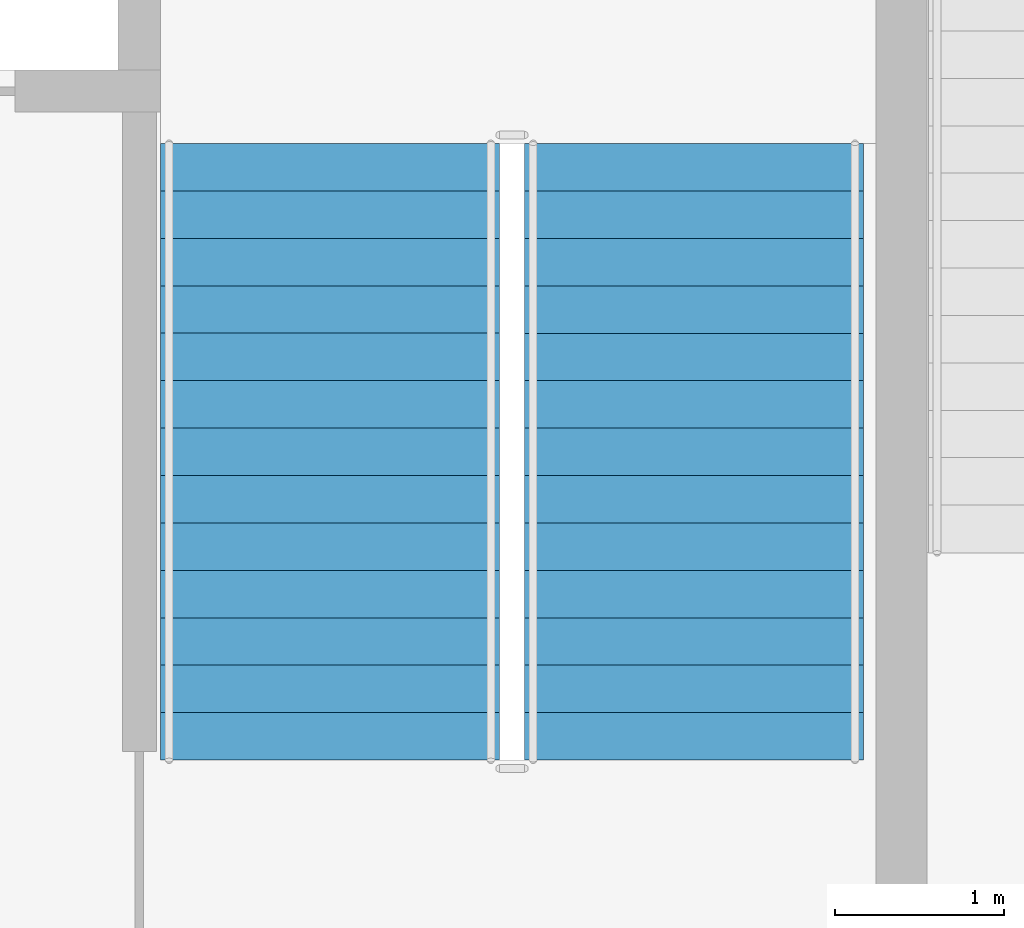
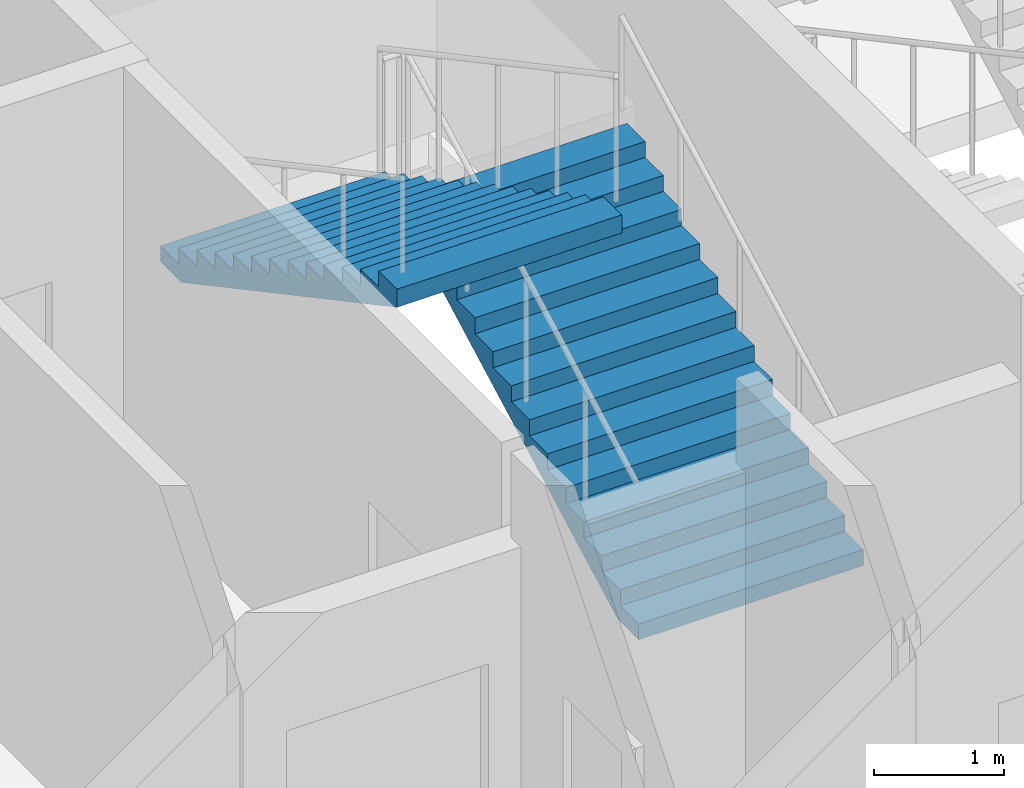
# One storey, part 6 of 8: 2 stair flights, 1 element without a shape of its own.
"""IFC4 building model written with IfcOpenShell, lengths in metres."""

from ifc_helpers import new_model, si_unit, direction, frame, origin, place, context, subcontext, project, spatial, polygons, material, type_object, element, aggregate, save


model = new_model("IFC4")

# Units and contexts
model_context = context("Model", 3, precision=1e-05, world=origin(), true_north=direction((0.0, 1.0)))
body_context = subcontext(model_context, "Body", "Model", "MODEL_VIEW")
ifc_project = project(units=[si_unit("LENGTHUNIT", "METRE"), si_unit("AREAUNIT", "SQUARE_METRE"), si_unit("VOLUMEUNIT", "CUBIC_METRE"), si_unit("PLANEANGLEUNIT", "RADIAN"), si_unit("MASSUNIT", "GRAM", prefix="KILO")], contexts=[model_context])

# Site, building, storey
site_placement = place(None, origin())
site = spatial("IfcSite", under=ifc_project, at=site_placement, CompositionType="ELEMENT")
building_placement = place(site_placement, origin())
building = spatial("IfcBuilding", under=site, at=building_placement, Name="Caravel Reach Hotel and Residences", CompositionType="ELEMENT")
storey_placement = place(building_placement, frame((0.0, 0.0, 325.39990234375)))
storey = spatial("IfcBuildingStorey", under=building, at=storey_placement, Name="L82", CompositionType="ELEMENT", Elevation=325.39990234375)

# Stair, stair flights
ifc_material_1 = material(Name="Concrete C40", Category="concrete")
stair_type = type_object("IfcStairType", Name="Core stair", PredefinedType="HALF_TURN_STAIR", material=ifc_material_1)
stair_placement = place(storey_placement, origin())
stair = element("IfcStair", 1, at=stair_placement, inside=storey, type_object=stair_type, Name="L82 Exit stair B", PredefinedType="HALF_TURN_STAIR")
ifc_material_2 = material(Name="Concrete C40", Category="concrete")
stair_flight_type = type_object("IfcStairFlightType", Name="Core stair flight", PredefinedType="STRAIGHT", material=ifc_material_2)
stair_flight_1_placement = place(storey_placement, frame((43.77490234375, 24.64990234375, 0.0), z_axis=(0.0, 0.0, 1.0), x_axis=(0.0, 1.0, 0.0)))
stair_flight_1 = element("IfcStairFlight", 2, at=stair_flight_1_placement, type_object=stair_flight_type, Name="ST-B flight 1", NumberOfRisers=14, NumberOfTreads=13, PredefinedType="STRAIGHT", RiserHeight=0.15, TreadLength=0.28, context=body_context, shape_type="Tessellation", body=[
    polygons([(0.3174408016601862, 1.0, 0.0), (0.3174408016601862, 0.6666666666666667, 0.0), (0.3174408016601862, 0.33333333333333337, 0.0), (0.3174408016601862, 0.0, 0.0), (0.3174408016601862, -0.33333333333333326, 0.0), (0.3174408016601862, -0.6666666666666667, 0.0), (0.3174408016601862, -1.0, 0.0), (3.6410000000000005, 1.0, 1.7799424276820432), (3.6410000000000005, 0.6666666666666667, 1.7799424276820432), (3.6410000000000005, 0.33333333333333337, 1.7799424276820432), (3.6410000000000005, 0.0, 1.7799424276820432), (3.6410000000000005, -0.33333333333333326, 1.7799424276820432), (3.6410000000000005, -0.6666666666666667, 1.7799424276820432), (3.6410000000000005, -1.0, 1.7799424276820432), (3.6410000000000005, 1.0, 1.95), (3.6410000000000005, 0.6666666666666667, 1.95), (3.6410000000000005, 0.33333333333333337, 1.95), (3.6410000000000005, 0.0, 1.95), (3.6410000000000005, -0.33333333333333326, 1.95), (3.6410000000000005, -0.6666666666666667, 1.95), (3.6410000000000005, -1.0, 1.95), (3.3600000000000003, 1.0, 1.95), (3.3600000000000003, 0.6666666666666667, 1.95), (3.3600000000000003, 0.33333333333333337, 1.95), (3.3600000000000003, 0.0, 1.95), (3.3600000000000003, -0.33333333333333326, 1.95), (3.3600000000000003, -0.6666666666666667, 1.95), (3.3600000000000003, -1.0, 1.95), (3.3600000000000003, 1.0, 1.7999999999999998), (3.3600000000000003, 0.6666666666666667, 1.7999999999999998), (3.3600000000000003, 0.33333333333333337, 1.7999999999999998), (3.3600000000000003, 0.0, 1.7999999999999998), (3.3600000000000003, -0.33333333333333326, 1.7999999999999998), (3.3600000000000003, -0.6666666666666667, 1.7999999999999998), (3.3600000000000003, -1.0, 1.7999999999999998), (3.08, 1.0, 1.7999999999999998), (3.08, 0.6666666666666667, 1.7999999999999998), (3.08, 0.33333333333333337, 1.7999999999999998), (3.08, 0.0, 1.7999999999999998), (3.08, -0.33333333333333326, 1.7999999999999998), (3.08, -0.6666666666666667, 1.7999999999999998), (3.08, -1.0, 1.7999999999999998), (3.08, 1.0, 1.65), (3.08, 0.6666666666666667, 1.65), (3.08, 0.33333333333333337, 1.65), (3.08, 0.0, 1.65), (3.08, -0.33333333333333326, 1.65), (3.08, -0.6666666666666667, 1.65), (3.08, -1.0, 1.65), (2.8000000000000003, 1.0, 1.65), (2.8000000000000003, 0.6666666666666667, 1.65), (2.8000000000000003, 0.33333333333333337, 1.65), (2.8000000000000003, 0.0, 1.65), (2.8000000000000003, -0.33333333333333326, 1.65), (2.8000000000000003, -0.6666666666666667, 1.65), (2.8000000000000003, -1.0, 1.65), (2.8000000000000003, 1.0, 1.5), (2.8000000000000003, 0.6666666666666667, 1.5), (2.8000000000000003, 0.33333333333333337, 1.5), (2.8000000000000003, 0.0, 1.5), (2.8000000000000003, -0.33333333333333326, 1.5), (2.8000000000000003, -0.6666666666666667, 1.5), (2.8000000000000003, -1.0, 1.5), (2.5200000000000005, 1.0, 1.5), (2.5200000000000005, 0.6666666666666667, 1.5), (2.5200000000000005, 0.33333333333333337, 1.5), (2.5200000000000005, 0.0, 1.5), (2.5200000000000005, -0.33333333333333326, 1.5), (2.5200000000000005, -0.6666666666666667, 1.5), (2.5200000000000005, -1.0, 1.5), (2.5200000000000005, 1.0, 1.3499999999999999), (2.5200000000000005, 0.6666666666666667, 1.3499999999999999), (2.5200000000000005, 0.33333333333333337, 1.3499999999999999), (2.5200000000000005, 0.0, 1.3499999999999999), (2.5200000000000005, -0.33333333333333326, 1.3499999999999999), (2.5200000000000005, -0.6666666666666667, 1.3499999999999999), (2.5200000000000005, -1.0, 1.3499999999999999), (2.24, 1.0, 1.3499999999999999), (2.24, 0.6666666666666667, 1.3499999999999999), (2.24, 0.33333333333333337, 1.3499999999999999), (2.24, 0.0, 1.3499999999999999), (2.24, -0.33333333333333326, 1.3499999999999999), (2.24, -0.6666666666666667, 1.3499999999999999), (2.24, -1.0, 1.3499999999999999), (2.24, 1.0, 1.2), (2.24, 0.6666666666666667, 1.2), (2.24, 0.33333333333333337, 1.2), (2.24, 0.0, 1.2), (2.24, -0.33333333333333326, 1.2), (2.24, -0.6666666666666667, 1.2), (2.24, -1.0, 1.2), (1.9600000000000002, 1.0, 1.2), (1.9600000000000002, 0.6666666666666667, 1.2), (1.9600000000000002, 0.33333333333333337, 1.2), (1.9600000000000002, 0.0, 1.2), (1.9600000000000002, -0.33333333333333326, 1.2), (1.9600000000000002, -0.6666666666666667, 1.2), (1.9600000000000002, -1.0, 1.2), (1.9600000000000002, 1.0, 1.05), (1.9600000000000002, 0.6666666666666667, 1.05), (1.9600000000000002, 0.33333333333333337, 1.05), (1.9600000000000002, 0.0, 1.05), (1.9600000000000002, -0.33333333333333326, 1.05), (1.9600000000000002, -0.6666666666666667, 1.05), (1.9600000000000002, -1.0, 1.05), (1.6800000000000002, 1.0, 1.05), (1.6800000000000002, 0.6666666666666667, 1.05), (1.6800000000000002, 0.33333333333333337, 1.05), (1.6800000000000002, 0.0, 1.05), (1.6800000000000002, -0.33333333333333326, 1.05), (1.6800000000000002, -0.6666666666666667, 1.05), (1.6800000000000002, -1.0, 1.05), (1.6800000000000002, 1.0, 0.8999999999999999), (1.6800000000000002, 0.6666666666666667, 0.8999999999999999), (1.6800000000000002, 0.33333333333333337, 0.8999999999999999), (1.6800000000000002, 0.0, 0.8999999999999999), (1.6800000000000002, -0.33333333333333326, 0.8999999999999999), (1.6800000000000002, -0.6666666666666667, 0.8999999999999999), (1.6800000000000002, -1.0, 0.8999999999999999), (1.4000000000000001, 1.0, 0.8999999999999999), (1.4000000000000001, 0.6666666666666667, 0.8999999999999999), (1.4000000000000001, 0.33333333333333337, 0.8999999999999999), (1.4000000000000001, 0.0, 0.8999999999999999), (1.4000000000000001, -0.33333333333333326, 0.8999999999999999), (1.4000000000000001, -0.6666666666666667, 0.8999999999999999), (1.4000000000000001, -1.0, 0.8999999999999999), (1.4000000000000001, 1.0, 0.75), (1.4000000000000001, 0.6666666666666667, 0.75), (1.4000000000000001, 0.33333333333333337, 0.75), (1.4000000000000001, 0.0, 0.75), (1.4000000000000001, -0.33333333333333326, 0.75), (1.4000000000000001, -0.6666666666666667, 0.75), (1.4000000000000001, -1.0, 0.75), (1.12, 1.0, 0.75), (1.12, 0.6666666666666667, 0.75), (1.12, 0.33333333333333337, 0.75), (1.12, 0.0, 0.75), (1.12, -0.33333333333333326, 0.75), (1.12, -0.6666666666666667, 0.75), (1.12, -1.0, 0.75), (1.12, 1.0, 0.6), (1.12, 0.6666666666666667, 0.6), (1.12, 0.33333333333333337, 0.6), (1.12, 0.0, 0.6), (1.12, -0.33333333333333326, 0.6), (1.12, -0.6666666666666667, 0.6), (1.12, -1.0, 0.6), (0.8400000000000001, 1.0, 0.6), (0.8400000000000001, 0.6666666666666667, 0.6), (0.8400000000000001, 0.33333333333333337, 0.6), (0.8400000000000001, 0.0, 0.6), (0.8400000000000001, -0.33333333333333326, 0.6), (0.8400000000000001, -0.6666666666666667, 0.6), (0.8400000000000001, -1.0, 0.6), (0.8400000000000001, 1.0, 0.44999999999999996), (0.8400000000000001, 0.6666666666666667, 0.44999999999999996), (0.8400000000000001, 0.33333333333333337, 0.44999999999999996), (0.8400000000000001, 0.0, 0.44999999999999996), (0.8400000000000001, -0.33333333333333326, 0.44999999999999996), (0.8400000000000001, -0.6666666666666667, 0.44999999999999996), (0.8400000000000001, -1.0, 0.44999999999999996), (0.56, 1.0, 0.44999999999999996), (0.56, 0.6666666666666667, 0.44999999999999996), (0.56, 0.33333333333333337, 0.44999999999999996), (0.56, 0.0, 0.44999999999999996), (0.56, -0.33333333333333326, 0.44999999999999996), (0.56, -0.6666666666666667, 0.44999999999999996), (0.56, -1.0, 0.44999999999999996), (0.56, 1.0, 0.3), (0.56, 0.6666666666666667, 0.3), (0.56, 0.33333333333333337, 0.3), (0.56, 0.0, 0.3), (0.56, -0.33333333333333326, 0.3), (0.56, -0.6666666666666667, 0.3), (0.56, -1.0, 0.3), (0.28, 1.0, 0.3), (0.28, 0.6666666666666667, 0.3), (0.28, 0.33333333333333337, 0.3), (0.28, 0.0, 0.3), (0.28, -0.33333333333333326, 0.3), (0.28, -0.6666666666666667, 0.3), (0.28, -1.0, 0.3), (0.28, 1.0, 0.15), (0.28, 0.6666666666666667, 0.15), (0.28, 0.33333333333333337, 0.15), (0.28, 0.0, 0.15), (0.28, -0.33333333333333326, 0.15), (0.28, -0.6666666666666667, 0.15), (0.28, -1.0, 0.15), (-0.001, 1.0, 0.15), (-0.001, 0.6666666666666667, 0.15), (-0.001, 0.33333333333333337, 0.15), (-0.001, 0.0, 0.15), (-0.001, -0.33333333333333326, 0.15), (-0.001, -0.6666666666666667, 0.15), (-0.001, -1.0, 0.15), (-0.001, 1.0, 0.0), (-0.001, 0.6666666666666667, 0.0), (-0.001, 0.33333333333333337, 0.0), (-0.001, 0.0, 0.0), (-0.001, -0.33333333333333326, 0.0), (-0.001, -0.6666666666666667, 0.0), (-0.001, -1.0, 0.0)], [[[197, 190, 183, 176, 169, 162, 155, 148, 141, 134, 127, 120, 113, 106, 99, 92, 85, 78, 71, 64, 57, 50, 43, 36, 29, 22, 15, 8, 1]], [[7, 14, 21, 28, 35, 42, 49, 56, 63, 70, 77, 84, 91, 98, 105, 112, 119, 126, 133, 140, 147, 154, 161, 168, 175, 182, 189, 196, 203]], [[1, 8, 9, 2]], [[2, 9, 10, 3]], [[3, 10, 11, 4]], [[4, 11, 12, 5]], [[5, 12, 13, 6]], [[6, 13, 14, 7]], [[8, 15, 16, 9]], [[9, 16, 17, 10]], [[10, 17, 18, 11]], [[11, 18, 19, 12]], [[12, 19, 20, 13]], [[13, 20, 21, 14]], [[15, 22, 23, 16]], [[16, 23, 24, 17]], [[17, 24, 25, 18]], [[18, 25, 26, 19]], [[19, 26, 27, 20]], [[20, 27, 28, 21]], [[22, 29, 30, 23]], [[23, 30, 31, 24]], [[24, 31, 32, 25]], [[25, 32, 33, 26]], [[26, 33, 34, 27]], [[27, 34, 35, 28]], [[29, 36, 37, 30]], [[30, 37, 38, 31]], [[31, 38, 39, 32]], [[32, 39, 40, 33]], [[33, 40, 41, 34]], [[34, 41, 42, 35]], [[36, 43, 44, 37]], [[37, 44, 45, 38]], [[38, 45, 46, 39]], [[39, 46, 47, 40]], [[40, 47, 48, 41]], [[41, 48, 49, 42]], [[43, 50, 51, 44]], [[44, 51, 52, 45]], [[45, 52, 53, 46]], [[46, 53, 54, 47]], [[47, 54, 55, 48]], [[48, 55, 56, 49]], [[50, 57, 58, 51]], [[51, 58, 59, 52]], [[52, 59, 60, 53]], [[53, 60, 61, 54]], [[54, 61, 62, 55]], [[55, 62, 63, 56]], [[57, 64, 65, 58]], [[58, 65, 66, 59]], [[59, 66, 67, 60]], [[60, 67, 68, 61]], [[61, 68, 69, 62]], [[62, 69, 70, 63]], [[64, 71, 72, 65]], [[65, 72, 73, 66]], [[66, 73, 74, 67]], [[67, 74, 75, 68]], [[68, 75, 76, 69]], [[69, 76, 77, 70]], [[71, 78, 79, 72]], [[72, 79, 80, 73]], [[73, 80, 81, 74]], [[74, 81, 82, 75]], [[75, 82, 83, 76]], [[76, 83, 84, 77]], [[78, 85, 86, 79]], [[79, 86, 87, 80]], [[80, 87, 88, 81]], [[81, 88, 89, 82]], [[82, 89, 90, 83]], [[83, 90, 91, 84]], [[85, 92, 93, 86]], [[86, 93, 94, 87]], [[87, 94, 95, 88]], [[88, 95, 96, 89]], [[89, 96, 97, 90]], [[90, 97, 98, 91]], [[92, 99, 100, 93]], [[93, 100, 101, 94]], [[94, 101, 102, 95]], [[95, 102, 103, 96]], [[96, 103, 104, 97]], [[97, 104, 105, 98]], [[99, 106, 107, 100]], [[100, 107, 108, 101]], [[101, 108, 109, 102]], [[102, 109, 110, 103]], [[103, 110, 111, 104]], [[104, 111, 112, 105]], [[106, 113, 114, 107]], [[107, 114, 115, 108]], [[108, 115, 116, 109]], [[109, 116, 117, 110]], [[110, 117, 118, 111]], [[111, 118, 119, 112]], [[113, 120, 121, 114]], [[114, 121, 122, 115]], [[115, 122, 123, 116]], [[116, 123, 124, 117]], [[117, 124, 125, 118]], [[118, 125, 126, 119]], [[120, 127, 128, 121]], [[121, 128, 129, 122]], [[122, 129, 130, 123]], [[123, 130, 131, 124]], [[124, 131, 132, 125]], [[125, 132, 133, 126]], [[127, 134, 135, 128]], [[128, 135, 136, 129]], [[129, 136, 137, 130]], [[130, 137, 138, 131]], [[131, 138, 139, 132]], [[132, 139, 140, 133]], [[134, 141, 142, 135]], [[135, 142, 143, 136]], [[136, 143, 144, 137]], [[137, 144, 145, 138]], [[138, 145, 146, 139]], [[139, 146, 147, 140]], [[141, 148, 149, 142]], [[142, 149, 150, 143]], [[143, 150, 151, 144]], [[144, 151, 152, 145]], [[145, 152, 153, 146]], [[146, 153, 154, 147]], [[148, 155, 156, 149]], [[149, 156, 157, 150]], [[150, 157, 158, 151]], [[151, 158, 159, 152]], [[152, 159, 160, 153]], [[153, 160, 161, 154]], [[155, 162, 163, 156]], [[156, 163, 164, 157]], [[157, 164, 165, 158]], [[158, 165, 166, 159]], [[159, 166, 167, 160]], [[160, 167, 168, 161]], [[162, 169, 170, 163]], [[163, 170, 171, 164]], [[164, 171, 172, 165]], [[165, 172, 173, 166]], [[166, 173, 174, 167]], [[167, 174, 175, 168]], [[169, 176, 177, 170]], [[170, 177, 178, 171]], [[171, 178, 179, 172]], [[172, 179, 180, 173]], [[173, 180, 181, 174]], [[174, 181, 182, 175]], [[176, 183, 184, 177]], [[177, 184, 185, 178]], [[178, 185, 186, 179]], [[179, 186, 187, 180]], [[180, 187, 188, 181]], [[181, 188, 189, 182]], [[183, 190, 191, 184]], [[184, 191, 192, 185]], [[185, 192, 193, 186]], [[186, 193, 194, 187]], [[187, 194, 195, 188]], [[188, 195, 196, 189]], [[190, 197, 198, 191]], [[191, 198, 199, 192]], [[192, 199, 200, 193]], [[193, 200, 201, 194]], [[194, 201, 202, 195]], [[195, 202, 203, 196]], [[197, 1, 2, 198]], [[198, 2, 3, 199]], [[199, 3, 4, 200]], [[200, 4, 5, 201]], [[201, 5, 6, 202]], [[202, 6, 7, 203]]], closed=True),
])
stair_flight_2_placement = place(storey_placement, frame((41.625, 28.2900390625, 2.10009765625), z_axis=(0.0, 0.0, 1.0), x_axis=(0.0, -1.0, 0.0)))
stair_flight_2 = element("IfcStairFlight", 3, at=stair_flight_2_placement, type_object=stair_flight_type, Name="ST-B flight 2", NumberOfRisers=14, NumberOfTreads=13, PredefinedType="STRAIGHT", RiserHeight=0.15, TreadLength=0.28, context=body_context, shape_type="Tessellation", body=[
    polygons([(0.3174408016601862, 1.0, 0.0), (0.3174408016601862, 0.6666666666666667, 0.0), (0.3174408016601862, 0.33333333333333337, 0.0), (0.3174408016601862, 0.0, 0.0), (0.3174408016601862, -0.33333333333333326, 0.0), (0.3174408016601862, -0.6666666666666667, 0.0), (0.3174408016601862, -1.0, 0.0), (3.6410000000000005, 1.0, 1.7799424276820432), (3.6410000000000005, 0.6666666666666667, 1.7799424276820432), (3.6410000000000005, 0.33333333333333337, 1.7799424276820432), (3.6410000000000005, 0.0, 1.7799424276820432), (3.6410000000000005, -0.33333333333333326, 1.7799424276820432), (3.6410000000000005, -0.6666666666666667, 1.7799424276820432), (3.6410000000000005, -1.0, 1.7799424276820432), (3.6410000000000005, 1.0, 1.95), (3.6410000000000005, 0.6666666666666667, 1.95), (3.6410000000000005, 0.33333333333333337, 1.95), (3.6410000000000005, 0.0, 1.95), (3.6410000000000005, -0.33333333333333326, 1.95), (3.6410000000000005, -0.6666666666666667, 1.95), (3.6410000000000005, -1.0, 1.95), (3.3600000000000003, 1.0, 1.95), (3.3600000000000003, 0.6666666666666667, 1.95), (3.3600000000000003, 0.33333333333333337, 1.95), (3.3600000000000003, 0.0, 1.95), (3.3600000000000003, -0.33333333333333326, 1.95), (3.3600000000000003, -0.6666666666666667, 1.95), (3.3600000000000003, -1.0, 1.95), (3.3600000000000003, 1.0, 1.7999999999999998), (3.3600000000000003, 0.6666666666666667, 1.7999999999999998), (3.3600000000000003, 0.33333333333333337, 1.7999999999999998), (3.3600000000000003, 0.0, 1.7999999999999998), (3.3600000000000003, -0.33333333333333326, 1.7999999999999998), (3.3600000000000003, -0.6666666666666667, 1.7999999999999998), (3.3600000000000003, -1.0, 1.7999999999999998), (3.08, 1.0, 1.7999999999999998), (3.08, 0.6666666666666667, 1.7999999999999998), (3.08, 0.33333333333333337, 1.7999999999999998), (3.08, 0.0, 1.7999999999999998), (3.08, -0.33333333333333326, 1.7999999999999998), (3.08, -0.6666666666666667, 1.7999999999999998), (3.08, -1.0, 1.7999999999999998), (3.08, 1.0, 1.65), (3.08, 0.6666666666666667, 1.65), (3.08, 0.33333333333333337, 1.65), (3.08, 0.0, 1.65), (3.08, -0.33333333333333326, 1.65), (3.08, -0.6666666666666667, 1.65), (3.08, -1.0, 1.65), (2.8000000000000003, 1.0, 1.65), (2.8000000000000003, 0.6666666666666667, 1.65), (2.8000000000000003, 0.33333333333333337, 1.65), (2.8000000000000003, 0.0, 1.65), (2.8000000000000003, -0.33333333333333326, 1.65), (2.8000000000000003, -0.6666666666666667, 1.65), (2.8000000000000003, -1.0, 1.65), (2.8000000000000003, 1.0, 1.5), (2.8000000000000003, 0.6666666666666667, 1.5), (2.8000000000000003, 0.33333333333333337, 1.5), (2.8000000000000003, 0.0, 1.5), (2.8000000000000003, -0.33333333333333326, 1.5), (2.8000000000000003, -0.6666666666666667, 1.5), (2.8000000000000003, -1.0, 1.5), (2.5200000000000005, 1.0, 1.5), (2.5200000000000005, 0.6666666666666667, 1.5), (2.5200000000000005, 0.33333333333333337, 1.5), (2.5200000000000005, 0.0, 1.5), (2.5200000000000005, -0.33333333333333326, 1.5), (2.5200000000000005, -0.6666666666666667, 1.5), (2.5200000000000005, -1.0, 1.5), (2.5200000000000005, 1.0, 1.3499999999999999), (2.5200000000000005, 0.6666666666666667, 1.3499999999999999), (2.5200000000000005, 0.33333333333333337, 1.3499999999999999), (2.5200000000000005, 0.0, 1.3499999999999999), (2.5200000000000005, -0.33333333333333326, 1.3499999999999999), (2.5200000000000005, -0.6666666666666667, 1.3499999999999999), (2.5200000000000005, -1.0, 1.3499999999999999), (2.24, 1.0, 1.3499999999999999), (2.24, 0.6666666666666667, 1.3499999999999999), (2.24, 0.33333333333333337, 1.3499999999999999), (2.24, 0.0, 1.3499999999999999), (2.24, -0.33333333333333326, 1.3499999999999999), (2.24, -0.6666666666666667, 1.3499999999999999), (2.24, -1.0, 1.3499999999999999), (2.24, 1.0, 1.2), (2.24, 0.6666666666666667, 1.2), (2.24, 0.33333333333333337, 1.2), (2.24, 0.0, 1.2), (2.24, -0.33333333333333326, 1.2), (2.24, -0.6666666666666667, 1.2), (2.24, -1.0, 1.2), (1.9600000000000002, 1.0, 1.2), (1.9600000000000002, 0.6666666666666667, 1.2), (1.9600000000000002, 0.33333333333333337, 1.2), (1.9600000000000002, 0.0, 1.2), (1.9600000000000002, -0.33333333333333326, 1.2), (1.9600000000000002, -0.6666666666666667, 1.2), (1.9600000000000002, -1.0, 1.2), (1.9600000000000002, 1.0, 1.05), (1.9600000000000002, 0.6666666666666667, 1.05), (1.9600000000000002, 0.33333333333333337, 1.05), (1.9600000000000002, 0.0, 1.05), (1.9600000000000002, -0.33333333333333326, 1.05), (1.9600000000000002, -0.6666666666666667, 1.05), (1.9600000000000002, -1.0, 1.05), (1.6800000000000002, 1.0, 1.05), (1.6800000000000002, 0.6666666666666667, 1.05), (1.6800000000000002, 0.33333333333333337, 1.05), (1.6800000000000002, 0.0, 1.05), (1.6800000000000002, -0.33333333333333326, 1.05), (1.6800000000000002, -0.6666666666666667, 1.05), (1.6800000000000002, -1.0, 1.05), (1.6800000000000002, 1.0, 0.8999999999999999), (1.6800000000000002, 0.6666666666666667, 0.8999999999999999), (1.6800000000000002, 0.33333333333333337, 0.8999999999999999), (1.6800000000000002, 0.0, 0.8999999999999999), (1.6800000000000002, -0.33333333333333326, 0.8999999999999999), (1.6800000000000002, -0.6666666666666667, 0.8999999999999999), (1.6800000000000002, -1.0, 0.8999999999999999), (1.4000000000000001, 1.0, 0.8999999999999999), (1.4000000000000001, 0.6666666666666667, 0.8999999999999999), (1.4000000000000001, 0.33333333333333337, 0.8999999999999999), (1.4000000000000001, 0.0, 0.8999999999999999), (1.4000000000000001, -0.33333333333333326, 0.8999999999999999), (1.4000000000000001, -0.6666666666666667, 0.8999999999999999), (1.4000000000000001, -1.0, 0.8999999999999999), (1.4000000000000001, 1.0, 0.75), (1.4000000000000001, 0.6666666666666667, 0.75), (1.4000000000000001, 0.33333333333333337, 0.75), (1.4000000000000001, 0.0, 0.75), (1.4000000000000001, -0.33333333333333326, 0.75), (1.4000000000000001, -0.6666666666666667, 0.75), (1.4000000000000001, -1.0, 0.75), (1.12, 1.0, 0.75), (1.12, 0.6666666666666667, 0.75), (1.12, 0.33333333333333337, 0.75), (1.12, 0.0, 0.75), (1.12, -0.33333333333333326, 0.75), (1.12, -0.6666666666666667, 0.75), (1.12, -1.0, 0.75), (1.12, 1.0, 0.6), (1.12, 0.6666666666666667, 0.6), (1.12, 0.33333333333333337, 0.6), (1.12, 0.0, 0.6), (1.12, -0.33333333333333326, 0.6), (1.12, -0.6666666666666667, 0.6), (1.12, -1.0, 0.6), (0.8400000000000001, 1.0, 0.6), (0.8400000000000001, 0.6666666666666667, 0.6), (0.8400000000000001, 0.33333333333333337, 0.6), (0.8400000000000001, 0.0, 0.6), (0.8400000000000001, -0.33333333333333326, 0.6), (0.8400000000000001, -0.6666666666666667, 0.6), (0.8400000000000001, -1.0, 0.6), (0.8400000000000001, 1.0, 0.44999999999999996), (0.8400000000000001, 0.6666666666666667, 0.44999999999999996), (0.8400000000000001, 0.33333333333333337, 0.44999999999999996), (0.8400000000000001, 0.0, 0.44999999999999996), (0.8400000000000001, -0.33333333333333326, 0.44999999999999996), (0.8400000000000001, -0.6666666666666667, 0.44999999999999996), (0.8400000000000001, -1.0, 0.44999999999999996), (0.56, 1.0, 0.44999999999999996), (0.56, 0.6666666666666667, 0.44999999999999996), (0.56, 0.33333333333333337, 0.44999999999999996), (0.56, 0.0, 0.44999999999999996), (0.56, -0.33333333333333326, 0.44999999999999996), (0.56, -0.6666666666666667, 0.44999999999999996), (0.56, -1.0, 0.44999999999999996), (0.56, 1.0, 0.3), (0.56, 0.6666666666666667, 0.3), (0.56, 0.33333333333333337, 0.3), (0.56, 0.0, 0.3), (0.56, -0.33333333333333326, 0.3), (0.56, -0.6666666666666667, 0.3), (0.56, -1.0, 0.3), (0.28, 1.0, 0.3), (0.28, 0.6666666666666667, 0.3), (0.28, 0.33333333333333337, 0.3), (0.28, 0.0, 0.3), (0.28, -0.33333333333333326, 0.3), (0.28, -0.6666666666666667, 0.3), (0.28, -1.0, 0.3), (0.28, 1.0, 0.15), (0.28, 0.6666666666666667, 0.15), (0.28, 0.33333333333333337, 0.15), (0.28, 0.0, 0.15), (0.28, -0.33333333333333326, 0.15), (0.28, -0.6666666666666667, 0.15), (0.28, -1.0, 0.15), (-0.001, 1.0, 0.15), (-0.001, 0.6666666666666667, 0.15), (-0.001, 0.33333333333333337, 0.15), (-0.001, 0.0, 0.15), (-0.001, -0.33333333333333326, 0.15), (-0.001, -0.6666666666666667, 0.15), (-0.001, -1.0, 0.15), (-0.001, 1.0, 0.0), (-0.001, 0.6666666666666667, 0.0), (-0.001, 0.33333333333333337, 0.0), (-0.001, 0.0, 0.0), (-0.001, -0.33333333333333326, 0.0), (-0.001, -0.6666666666666667, 0.0), (-0.001, -1.0, 0.0)], [[[197, 190, 183, 176, 169, 162, 155, 148, 141, 134, 127, 120, 113, 106, 99, 92, 85, 78, 71, 64, 57, 50, 43, 36, 29, 22, 15, 8, 1]], [[7, 14, 21, 28, 35, 42, 49, 56, 63, 70, 77, 84, 91, 98, 105, 112, 119, 126, 133, 140, 147, 154, 161, 168, 175, 182, 189, 196, 203]], [[1, 8, 9, 2]], [[2, 9, 10, 3]], [[3, 10, 11, 4]], [[4, 11, 12, 5]], [[5, 12, 13, 6]], [[6, 13, 14, 7]], [[8, 15, 16, 9]], [[9, 16, 17, 10]], [[10, 17, 18, 11]], [[11, 18, 19, 12]], [[12, 19, 20, 13]], [[13, 20, 21, 14]], [[15, 22, 23, 16]], [[16, 23, 24, 17]], [[17, 24, 25, 18]], [[18, 25, 26, 19]], [[19, 26, 27, 20]], [[20, 27, 28, 21]], [[22, 29, 30, 23]], [[23, 30, 31, 24]], [[24, 31, 32, 25]], [[25, 32, 33, 26]], [[26, 33, 34, 27]], [[27, 34, 35, 28]], [[29, 36, 37, 30]], [[30, 37, 38, 31]], [[31, 38, 39, 32]], [[32, 39, 40, 33]], [[33, 40, 41, 34]], [[34, 41, 42, 35]], [[36, 43, 44, 37]], [[37, 44, 45, 38]], [[38, 45, 46, 39]], [[39, 46, 47, 40]], [[40, 47, 48, 41]], [[41, 48, 49, 42]], [[43, 50, 51, 44]], [[44, 51, 52, 45]], [[45, 52, 53, 46]], [[46, 53, 54, 47]], [[47, 54, 55, 48]], [[48, 55, 56, 49]], [[50, 57, 58, 51]], [[51, 58, 59, 52]], [[52, 59, 60, 53]], [[53, 60, 61, 54]], [[54, 61, 62, 55]], [[55, 62, 63, 56]], [[57, 64, 65, 58]], [[58, 65, 66, 59]], [[59, 66, 67, 60]], [[60, 67, 68, 61]], [[61, 68, 69, 62]], [[62, 69, 70, 63]], [[64, 71, 72, 65]], [[65, 72, 73, 66]], [[66, 73, 74, 67]], [[67, 74, 75, 68]], [[68, 75, 76, 69]], [[69, 76, 77, 70]], [[71, 78, 79, 72]], [[72, 79, 80, 73]], [[73, 80, 81, 74]], [[74, 81, 82, 75]], [[75, 82, 83, 76]], [[76, 83, 84, 77]], [[78, 85, 86, 79]], [[79, 86, 87, 80]], [[80, 87, 88, 81]], [[81, 88, 89, 82]], [[82, 89, 90, 83]], [[83, 90, 91, 84]], [[85, 92, 93, 86]], [[86, 93, 94, 87]], [[87, 94, 95, 88]], [[88, 95, 96, 89]], [[89, 96, 97, 90]], [[90, 97, 98, 91]], [[92, 99, 100, 93]], [[93, 100, 101, 94]], [[94, 101, 102, 95]], [[95, 102, 103, 96]], [[96, 103, 104, 97]], [[97, 104, 105, 98]], [[99, 106, 107, 100]], [[100, 107, 108, 101]], [[101, 108, 109, 102]], [[102, 109, 110, 103]], [[103, 110, 111, 104]], [[104, 111, 112, 105]], [[106, 113, 114, 107]], [[107, 114, 115, 108]], [[108, 115, 116, 109]], [[109, 116, 117, 110]], [[110, 117, 118, 111]], [[111, 118, 119, 112]], [[113, 120, 121, 114]], [[114, 121, 122, 115]], [[115, 122, 123, 116]], [[116, 123, 124, 117]], [[117, 124, 125, 118]], [[118, 125, 126, 119]], [[120, 127, 128, 121]], [[121, 128, 129, 122]], [[122, 129, 130, 123]], [[123, 130, 131, 124]], [[124, 131, 132, 125]], [[125, 132, 133, 126]], [[127, 134, 135, 128]], [[128, 135, 136, 129]], [[129, 136, 137, 130]], [[130, 137, 138, 131]], [[131, 138, 139, 132]], [[132, 139, 140, 133]], [[134, 141, 142, 135]], [[135, 142, 143, 136]], [[136, 143, 144, 137]], [[137, 144, 145, 138]], [[138, 145, 146, 139]], [[139, 146, 147, 140]], [[141, 148, 149, 142]], [[142, 149, 150, 143]], [[143, 150, 151, 144]], [[144, 151, 152, 145]], [[145, 152, 153, 146]], [[146, 153, 154, 147]], [[148, 155, 156, 149]], [[149, 156, 157, 150]], [[150, 157, 158, 151]], [[151, 158, 159, 152]], [[152, 159, 160, 153]], [[153, 160, 161, 154]], [[155, 162, 163, 156]], [[156, 163, 164, 157]], [[157, 164, 165, 158]], [[158, 165, 166, 159]], [[159, 166, 167, 160]], [[160, 167, 168, 161]], [[162, 169, 170, 163]], [[163, 170, 171, 164]], [[164, 171, 172, 165]], [[165, 172, 173, 166]], [[166, 173, 174, 167]], [[167, 174, 175, 168]], [[169, 176, 177, 170]], [[170, 177, 178, 171]], [[171, 178, 179, 172]], [[172, 179, 180, 173]], [[173, 180, 181, 174]], [[174, 181, 182, 175]], [[176, 183, 184, 177]], [[177, 184, 185, 178]], [[178, 185, 186, 179]], [[179, 186, 187, 180]], [[180, 187, 188, 181]], [[181, 188, 189, 182]], [[183, 190, 191, 184]], [[184, 191, 192, 185]], [[185, 192, 193, 186]], [[186, 193, 194, 187]], [[187, 194, 195, 188]], [[188, 195, 196, 189]], [[190, 197, 198, 191]], [[191, 198, 199, 192]], [[192, 199, 200, 193]], [[193, 200, 201, 194]], [[194, 201, 202, 195]], [[195, 202, 203, 196]], [[197, 1, 2, 198]], [[198, 2, 3, 199]], [[199, 3, 4, 200]], [[200, 4, 5, 201]], [[201, 5, 6, 202]], [[202, 6, 7, 203]]], closed=True),
])
aggregate(stair, [stair_flight_1, stair_flight_2])

save(model, "model.ifc")
